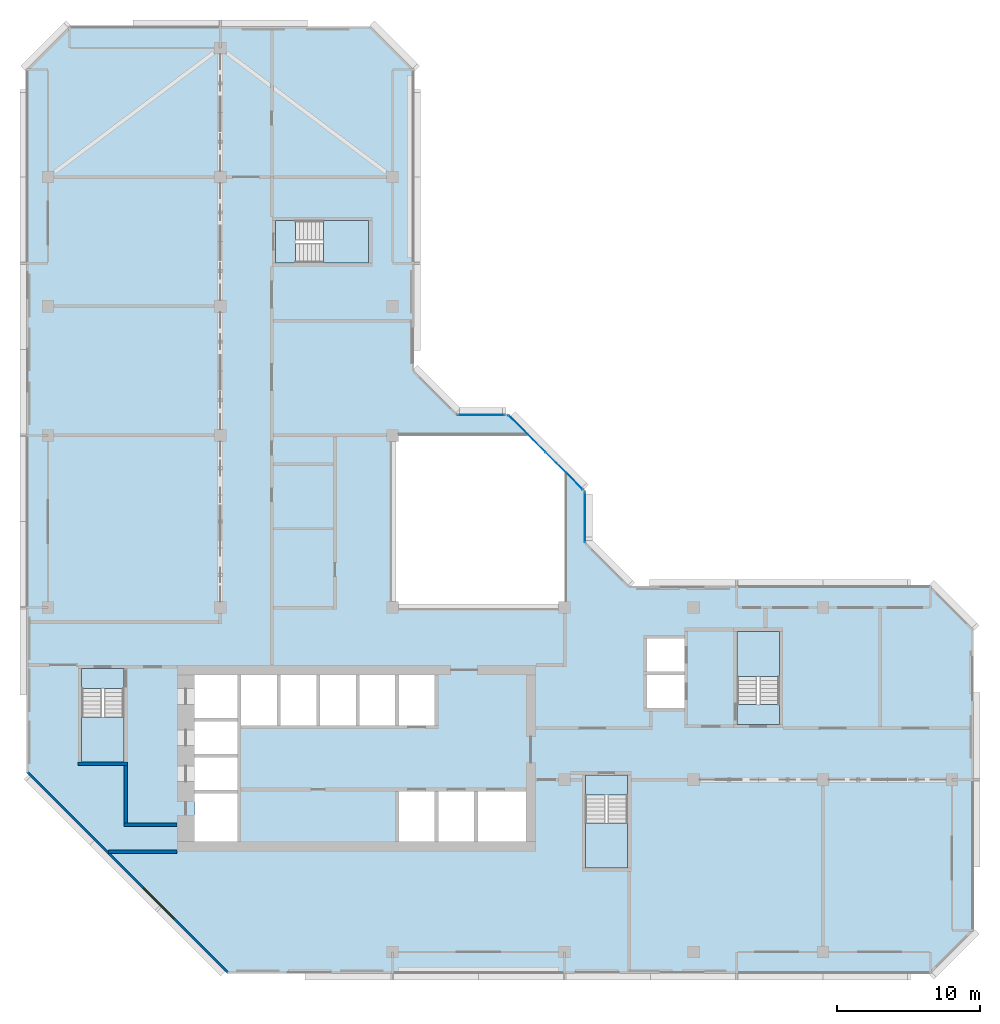
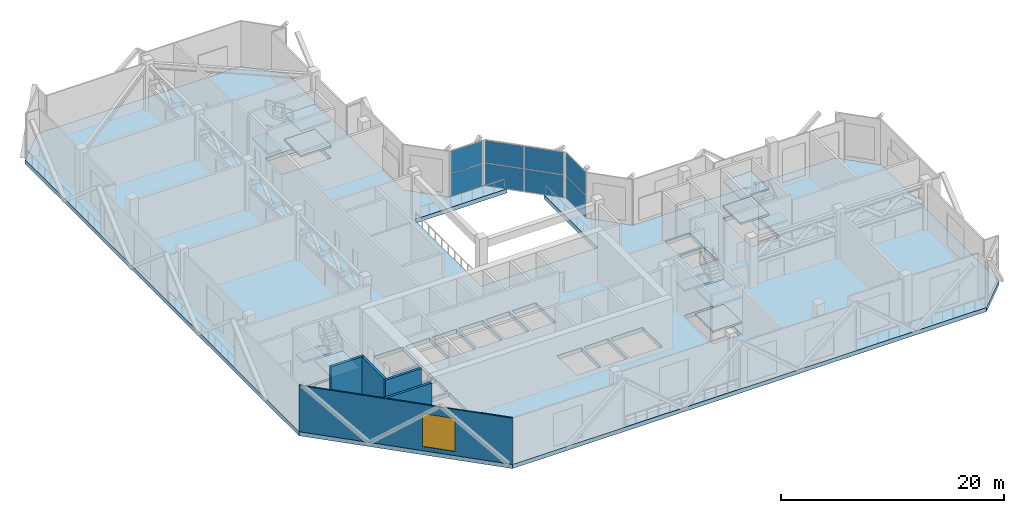
# One storey, part 5 of 14: 13 slabs, 8 plates, 5 walls, 1 window, 1 opening, 7 elements without a shape of their own.
"""IFC4 building model written with IfcOpenShell, lengths in metres."""

from ifc_helpers import new_model, si_unit, direction, frame, frame_2d, origin, origin_2d, place, context, subcontext, project, spatial, polyline, rectangle, outline, extrude, material, layer, layer_set, type_object, element, fill, aggregate, save


model = new_model("IFC4")

# Units and contexts
model_context = context("Model", 3, precision=1e-05, world=origin(), true_north=direction((0.0, 1.0)))
body_context = subcontext(model_context, "Body", "Model", "MODEL_VIEW")
ifc_project = project(units=[si_unit("LENGTHUNIT", "METRE"), si_unit("AREAUNIT", "SQUARE_METRE"), si_unit("VOLUMEUNIT", "CUBIC_METRE"), si_unit("PLANEANGLEUNIT", "RADIAN"), si_unit("MASSUNIT", "GRAM", prefix="KILO")], contexts=[model_context])

# Site, building, storey
site_placement = place(None, origin())
site = spatial("IfcSite", under=ifc_project, at=site_placement, CompositionType="ELEMENT")
building_placement = place(site_placement, origin())
building = spatial("IfcBuilding", under=site, at=building_placement, Name="Chenar Terraces", CompositionType="ELEMENT")
storey_placement = place(building_placement, frame((0.0, 0.0, 256.64990234375)))
storey = spatial("IfcBuildingStorey", under=building, at=storey_placement, Name="L61", CompositionType="ELEMENT", Elevation=256.64990234375)

# Curtain wall, plates
ifc_material_1 = material(Name="Aluminium framed glazing", Category="aluminium")
ifc_layer_1 = layer(ifc_material_1, 0.14990234375)
ifc_layer_set_1 = layer_set([ifc_layer_1], Name="Aluminium framed glazing")
curtain_wall_type = type_object("IfcCurtainWallType", Name="Atrium mid-zone curtain wall", PredefinedType="NOTDEFINED", material=ifc_layer_set_1)
placement_1 = place(storey_placement, origin())
curtain_wall_1 = element("IfcCurtainWall", 1, at=placement_1, inside=storey, type_object=curtain_wall_type, Name="Atrium mid-zone curtain wall", PredefinedType="NOTDEFINED")
ifc_material_2 = material(Name="Low emissivity laminated glass, solar control coating", Category="glass")
ifc_layer_2 = layer(ifc_material_2, 0.031982421875)
ifc_layer_set_2 = layer_set([ifc_layer_2], Name="Low emissivity laminated glass, solar control coating")
plate_type = type_object("IfcPlateType", Name="Atrium mid-zone glazing panel 32", PredefinedType="CURTAIN_PANEL", material=ifc_layer_set_2)
plate_1_placement = place(storey_placement, frame((37.425048828125, 30.300048828125, 0.070068359375), z_axis=(0.0, 0.0, 1.0), x_axis=(0.0, 1.0, 0.0)))
plate_1 = element("IfcPlate", 2, at=plate_1_placement, type_object=plate_type, Name="CW7-1 panel 1.1", PredefinedType="CURTAIN_PANEL", context=body_context, shape_type="SweptSolid", body=[
    extrude(rectangle(XDim=3.4599609375, YDim=0.031982421875, at=origin_2d()), origin(), (0.0, 0.0, 1.0), 2.419921875),
])
plate_2_placement = place(storey_placement, frame((37.425048828125, 30.300048828125, 2.56005859375), z_axis=(0.0, 0.0, 1.0), x_axis=(0.0, 1.0, 0.0)))
plate_2 = element("IfcPlate", 3, at=plate_2_placement, type_object=plate_type, Name="CW7-1 panel 1.2", PredefinedType="CURTAIN_PANEL", context=body_context, shape_type="SweptSolid", body=[
    extrude(rectangle(XDim=3.4599609375, YDim=0.031982421875, at=origin_2d()), origin(), (0.0, 0.0, 1.0), 2.419921875),
])
aggregate(curtain_wall_1, [plate_1, plate_2])

curtain_wall_2 = element("IfcCurtainWall", 4, at=placement_1, inside=storey, type_object=curtain_wall_type, Name="Atrium mid-zone curtain wall", PredefinedType="NOTDEFINED")
plate_3_placement = place(storey_placement, frame((35.978515625, 33.515380859375, 0.070068359375), z_axis=(0.0, 0.0, 1.0), x_axis=(-0.707106781187, 0.707106781187, 0.0)))
plate_3 = element("IfcPlate", 5, at=plate_3_placement, type_object=plate_type, Name="CW7-2 panel 1.1", PredefinedType="CURTAIN_PANEL", context=body_context, shape_type="SweptSolid", body=[
    extrude(rectangle(XDim=3.61328125, YDim=0.031982421875, at=origin_2d()), origin(), (0.0, 0.0, 1.0), 2.419921875),
])
plate_4_placement = place(storey_placement, frame((35.978515625, 33.515380859375, 2.56005859375), z_axis=(0.0, 0.0, 1.0), x_axis=(-0.707106781187, 0.707106781187, 0.0)))
plate_4 = element("IfcPlate", 6, at=plate_4_placement, type_object=plate_type, Name="CW7-2 panel 1.2", PredefinedType="CURTAIN_PANEL", context=body_context, shape_type="SweptSolid", body=[
    extrude(rectangle(XDim=3.61328125, YDim=0.031982421875, at=origin_2d()), origin(), (0.0, 0.0, 1.0), 2.419921875),
])
plate_5_placement = place(storey_placement, frame((33.3740234375, 36.119873046875, 0.070068359375), z_axis=(0.0, 0.0, 1.0), x_axis=(-0.707106781187, 0.707106781187, 0.0)))
plate_5 = element("IfcPlate", 7, at=plate_5_placement, type_object=plate_type, Name="CW7-2 panel 2.1", PredefinedType="CURTAIN_PANEL", context=body_context, shape_type="SweptSolid", body=[
    extrude(rectangle(XDim=3.61328125, YDim=0.031982421875, at=origin_2d()), origin(), (0.0, 0.0, 1.0), 2.419921875),
])
plate_6_placement = place(storey_placement, frame((33.3740234375, 36.119873046875, 2.56005859375), z_axis=(0.0, 0.0, 1.0), x_axis=(-0.707106781187, 0.707106781187, 0.0)))
plate_6 = element("IfcPlate", 8, at=plate_6_placement, type_object=plate_type, Name="CW7-2 panel 2.2", PredefinedType="CURTAIN_PANEL", context=body_context, shape_type="SweptSolid", body=[
    extrude(rectangle(XDim=3.61328125, YDim=0.031982421875, at=origin_2d()), origin(), (0.0, 0.0, 1.0), 2.419921875),
])
aggregate(curtain_wall_2, [plate_3, plate_4, plate_5, plate_6])

curtain_wall_3 = element("IfcCurtainWall", 9, at=placement_1, inside=storey, type_object=curtain_wall_type, Name="Atrium mid-zone curtain wall", PredefinedType="NOTDEFINED")
plate_7_placement = place(storey_placement, frame((30.199951171875, 37.425048828125, 0.070068359375), z_axis=(0.0, 0.0, 1.0), x_axis=(-1.0, 0.0, 0.0)))
plate_7 = element("IfcPlate", 10, at=plate_7_placement, type_object=plate_type, Name="CW7-3 panel 1.1", PredefinedType="CURTAIN_PANEL", context=body_context, shape_type="SweptSolid", body=[
    extrude(rectangle(XDim=3.260009765625, YDim=0.031982421875, at=origin_2d()), origin(), (0.0, 0.0, 1.0), 2.419921875),
])
plate_8_placement = place(storey_placement, frame((30.199951171875, 37.425048828125, 2.56005859375), z_axis=(0.0, 0.0, 1.0), x_axis=(-1.0, 0.0, 0.0)))
plate_8 = element("IfcPlate", 11, at=plate_8_placement, type_object=plate_type, Name="CW7-3 panel 1.2", PredefinedType="CURTAIN_PANEL", context=body_context, shape_type="SweptSolid", body=[
    extrude(rectangle(XDim=3.260009765625, YDim=0.031982421875, at=origin_2d()), origin(), (0.0, 0.0, 1.0), 2.419921875),
])
aggregate(curtain_wall_3, [plate_7, plate_8])

# Stair, slabs
ifc_material_3 = material(Name="Reinforced concrete C40/50", Category="concrete")
stair_type = type_object("IfcStairType", Name="Core stair 1400 half-turn", PredefinedType="HALF_TURN_STAIR", material=ifc_material_3)
stair_1 = element("IfcStair", 12, at=placement_1, inside=storey, type_object=stair_type, Name="L61 Stair 1", PredefinedType="HALF_TURN_STAIR")
ifc_material_4 = material(Name="Reinforced concrete C40/50", Category="concrete")
ifc_layer_3 = layer(ifc_material_4, 0.199951171875)
ifc_layer_set_3 = layer_set([ifc_layer_3], Name="Reinforced concrete C40/50")
slab_type_1 = type_object("IfcSlabType", Name="Core stair landing 200", PredefinedType="LANDING", material=ifc_layer_set_3)
placement_2 = place(storey_placement, frame((0.0, 0.0, 1.175048828125)))
slab_1 = element("IfcSlab", 13, at=placement_2, type_object=slab_type_1, Name="ST1 landing 1", PredefinedType="LANDING", context=body_context, shape_type="SweptSolid", body=[
    extrude(outline(polyline([(2.35009765625, 16.389892578125), (2.35009765625, 13.25), (5.300048828125, 13.25), (5.300048828125, 16.389892578125), (2.35009765625, 16.389892578125)])), origin(), (0.0, 0.0, 1.0), 0.199951171875),
])
placement_3 = place(storey_placement, frame((0.0, 0.0, 2.550048828125)))
slab_2 = element("IfcSlab", 14, at=placement_3, type_object=slab_type_1, Name="ST1 landing 2", PredefinedType="LANDING", context=body_context, shape_type="SweptSolid", body=[
    extrude(outline(polyline([(2.35009765625, 19.75), (2.35009765625, 18.35009765625), (5.300048828125, 18.35009765625), (5.300048828125, 19.75), (2.35009765625, 19.75)])), origin(), (0.0, 0.0, 1.0), 0.199951171875),
])
placement_4 = place(storey_placement, frame((0.0, 0.0, 3.925048828125)))
slab_3 = element("IfcSlab", 15, at=placement_4, type_object=slab_type_1, Name="ST1 landing 3", PredefinedType="LANDING", context=body_context, shape_type="SweptSolid", body=[
    extrude(outline(polyline([(2.35009765625, 16.389892578125), (2.35009765625, 13.25), (5.300048828125, 13.25), (5.300048828125, 16.389892578125), (2.35009765625, 16.389892578125)])), origin(), (0.0, 0.0, 1.0), 0.199951171875),
])
aggregate(stair_1, [slab_1, slab_2, slab_3])

stair_2 = element("IfcStair", 16, at=placement_1, inside=storey, type_object=stair_type, Name="L61 Stair 2", PredefinedType="HALF_TURN_STAIR")
slab_4 = element("IfcSlab", 17, at=placement_2, type_object=slab_type_1, Name="ST2 landing 1", PredefinedType="LANDING", context=body_context, shape_type="SweptSolid", body=[
    extrude(outline(polyline([(37.449951171875, 8.989990234375), (37.449951171875, 5.85009765625), (40.39990234375, 5.85009765625), (40.39990234375, 8.989990234375), (37.449951171875, 8.989990234375)])), origin(), (0.0, 0.0, 1.0), 0.199951171875),
])
slab_5 = element("IfcSlab", 18, at=placement_3, type_object=slab_type_1, Name="ST2 landing 2", PredefinedType="LANDING", context=body_context, shape_type="SweptSolid", body=[
    extrude(outline(polyline([(37.449951171875, 12.35009765625), (37.449951171875, 10.949951171875), (40.39990234375, 10.949951171875), (40.39990234375, 12.35009765625), (37.449951171875, 12.35009765625)])), origin(), (0.0, 0.0, 1.0), 0.199951171875),
])
slab_6 = element("IfcSlab", 19, at=placement_4, type_object=slab_type_1, Name="ST2 landing 3", PredefinedType="LANDING", context=body_context, shape_type="SweptSolid", body=[
    extrude(outline(polyline([(37.449951171875, 8.989990234375), (37.449951171875, 5.85009765625), (40.39990234375, 5.85009765625), (40.39990234375, 8.989990234375), (37.449951171875, 8.989990234375)])), origin(), (0.0, 0.0, 1.0), 0.199951171875),
])
aggregate(stair_2, [slab_4, slab_5, slab_6])

stair_3 = element("IfcStair", 20, at=placement_1, inside=storey, type_object=stair_type, Name="L61 Stair 3", PredefinedType="HALF_TURN_STAIR")
slab_7 = element("IfcSlab", 21, at=placement_2, type_object=slab_type_1, Name="ST3 landing 1", PredefinedType="LANDING", context=body_context, shape_type="SweptSolid", body=[
    extrude(outline(polyline([(50.97509765625, 19.2099609375), (50.97509765625, 22.35009765625), (48.02490234375, 22.35009765625), (48.02490234375, 19.2099609375), (50.97509765625, 19.2099609375)])), origin(), (0.0, 0.0, 1.0), 0.199951171875),
])
slab_8 = element("IfcSlab", 22, at=placement_3, type_object=slab_type_1, Name="ST3 landing 2", PredefinedType="LANDING", context=body_context, shape_type="SweptSolid", body=[
    extrude(outline(polyline([(50.97509765625, 15.85009765625), (50.97509765625, 17.25), (48.02490234375, 17.25), (48.02490234375, 15.85009765625), (50.97509765625, 15.85009765625)])), origin(), (0.0, 0.0, 1.0), 0.199951171875),
])
slab_9 = element("IfcSlab", 23, at=placement_4, type_object=slab_type_1, Name="ST3 landing 3", PredefinedType="LANDING", context=body_context, shape_type="SweptSolid", body=[
    extrude(outline(polyline([(50.97509765625, 19.2099609375), (50.97509765625, 22.35009765625), (48.02490234375, 22.35009765625), (48.02490234375, 19.2099609375), (50.97509765625, 19.2099609375)])), origin(), (0.0, 0.0, 1.0), 0.199951171875),
])
aggregate(stair_3, [slab_7, slab_8, slab_9])

stair_4 = element("IfcStair", 24, at=placement_1, inside=storey, type_object=stair_type, Name="L61 Stair 4", PredefinedType="HALF_TURN_STAIR")
slab_10 = element("IfcSlab", 25, at=placement_2, type_object=slab_type_1, Name="ST4 landing 1", PredefinedType="LANDING", context=body_context, shape_type="SweptSolid", body=[
    extrude(outline(polyline([(19.2099609375, 48.02490234375), (22.35009765625, 48.02490234375), (22.35009765625, 50.97509765625), (19.2099609375, 50.97509765625), (19.2099609375, 48.02490234375)])), origin(), (0.0, 0.0, 1.0), 0.199951171875),
])
slab_11 = element("IfcSlab", 26, at=placement_3, type_object=slab_type_1, Name="ST4 landing 2", PredefinedType="LANDING", context=body_context, shape_type="SweptSolid", body=[
    extrude(outline(polyline([(15.85009765625, 48.02490234375), (17.25, 48.02490234375), (17.25, 50.97509765625), (15.85009765625, 50.97509765625), (15.85009765625, 48.02490234375)])), origin(), (0.0, 0.0, 1.0), 0.199951171875),
])
slab_12 = element("IfcSlab", 27, at=placement_4, type_object=slab_type_1, Name="ST4 landing 3", PredefinedType="LANDING", context=body_context, shape_type="SweptSolid", body=[
    extrude(outline(polyline([(19.2099609375, 48.02490234375), (22.35009765625, 48.02490234375), (22.35009765625, 50.97509765625), (19.2099609375, 50.97509765625), (19.2099609375, 48.02490234375)])), origin(), (0.0, 0.0, 1.0), 0.199951171875),
])
aggregate(stair_4, [slab_10, slab_11, slab_12])

# Slab
ifc_material_5 = material(Name="Concrete C40/50", Category="concrete")
ifc_layer_4 = layer(ifc_material_5, 0.449951171875)
ifc_layer_set_4 = layer_set([ifc_layer_4], Name="Concrete C40/50")
slab_type_2 = type_object("IfcSlabType", Name="Floor slab 450 Concrete C40/50", PredefinedType="FLOOR", material=ifc_layer_set_4)
slab_13_placement = place(storey_placement, frame((0.0, 0.0, -0.449951171875)))
element("IfcSlab", 28, at=slab_13_placement, inside=storey, type_object=slab_type_2, Name="Floor slab L61", PredefinedType="FLOOR", context=body_context, shape_type="SweptSolid", body=[
    extrude(outline(polyline([(64.5, 22.5), (64.5, 1.5), (61.5, -1.5), (12.5, -1.5), (-1.5, 12.5), (-1.5, 61.5), (1.5, 64.5), (22.5, 64.5), (25.5, 61.5), (25.5, 40.5), (28.5, 37.5), (32.10009765625, 37.5), (33.60009765625, 36.0), (24.0, 36.0), (24.0, 24.0), (36.0, 24.0), (36.0, 33.60009765625), (37.5, 32.10009765625), (37.5, 28.5), (40.5, 25.5), (61.5, 25.5), (64.5, 22.5)]), holes=[polyline([(13.199951171875, 11.050048828125), (10.199951171875, 11.050048828125), (10.199951171875, 7.699951171875), (13.199951171875, 7.699951171875), (13.199951171875, 11.050048828125)]), polyline([(13.199951171875, 13.550048828125), (10.199951171875, 13.550048828125), (10.199951171875, 11.300048828125), (13.199951171875, 11.300048828125), (13.199951171875, 13.550048828125)]), polyline([(13.199951171875, 16.050048828125), (10.199951171875, 16.050048828125), (10.199951171875, 13.800048828125), (13.199951171875, 13.800048828125), (13.199951171875, 16.050048828125)]), polyline([(2.35009765625, 13.25), (5.300048828125, 13.25), (5.300048828125, 18.35009765625), (2.35009765625, 18.35009765625), (2.35009765625, 13.25)]), polyline([(15.949951171875, 19.300048828125), (13.449951171875, 19.300048828125), (13.449951171875, 15.800048828125), (15.949951171875, 15.800048828125), (15.949951171875, 19.300048828125)]), polyline([(18.699951171875, 19.300048828125), (16.199951171875, 19.300048828125), (16.199951171875, 15.800048828125), (18.699951171875, 15.800048828125), (18.699951171875, 19.300048828125)]), polyline([(21.449951171875, 19.300048828125), (18.949951171875, 19.300048828125), (18.949951171875, 15.800048828125), (21.449951171875, 15.800048828125), (21.449951171875, 19.300048828125)]), polyline([(24.199951171875, 15.800048828125), (24.199951171875, 19.300048828125), (21.699951171875, 19.300048828125), (21.699951171875, 15.800048828125), (24.199951171875, 15.800048828125)]), polyline([(13.199951171875, 16.300048828125), (13.199951171875, 19.300048828125), (10.199951171875, 19.300048828125), (10.199951171875, 16.300048828125), (13.199951171875, 16.300048828125)]), polyline([(22.35009765625, 48.02490234375), (22.35009765625, 50.97509765625), (17.25, 50.97509765625), (17.25, 48.02490234375), (22.35009765625, 48.02490234375)]), polyline([(37.449951171875, 5.85009765625), (40.39990234375, 5.85009765625), (40.39990234375, 10.949951171875), (37.449951171875, 10.949951171875), (37.449951171875, 5.85009765625)]), polyline([(26.949951171875, 11.199951171875), (24.449951171875, 11.199951171875), (24.449951171875, 7.699951171875), (26.949951171875, 7.699951171875), (26.949951171875, 11.199951171875)]), polyline([(29.699951171875, 7.699951171875), (29.699951171875, 11.199951171875), (27.199951171875, 11.199951171875), (27.199951171875, 7.699951171875), (29.699951171875, 7.699951171875)]), polyline([(33.300048828125, 7.699951171875), (33.300048828125, 11.199951171875), (29.949951171875, 11.199951171875), (29.949951171875, 7.699951171875), (33.300048828125, 7.699951171875)]), polyline([(26.949951171875, 19.300048828125), (24.449951171875, 19.300048828125), (24.449951171875, 15.800048828125), (26.949951171875, 15.800048828125), (26.949951171875, 19.300048828125)]), polyline([(44.35009765625, 19.300048828125), (41.75, 19.300048828125), (41.75, 17.0), (44.35009765625, 17.0), (44.35009765625, 19.300048828125)]), polyline([(50.97509765625, 22.35009765625), (48.02490234375, 22.35009765625), (48.02490234375, 17.25), (50.97509765625, 17.25), (50.97509765625, 22.35009765625)]), polyline([(44.35009765625, 19.550048828125), (44.35009765625, 21.85009765625), (41.75, 21.85009765625), (41.75, 19.550048828125), (44.35009765625, 19.550048828125)])]), origin(), (0.0, 0.0, 1.0), 0.449951171875),
])

# Walls
ifc_material_6 = material(Name="Concrete C60/75", Category="concrete")
ifc_layer_5 = layer(ifc_material_6, 0.25)
ifc_layer_set_5 = layer_set([ifc_layer_5], Name="Concrete C60/75")
wall_type_1 = type_object("IfcWallType", Name="Core wall 250 Concrete C60/75", PredefinedType="SHEAR", material=ifc_layer_set_5)
wall_1_placement = place(storey_placement, frame((2.10009765625, 13.125, 0.0), z_axis=(0.0, 0.0, 1.0), x_axis=(1.0, 0.0, 0.0)))
element("IfcWall", 29, at=wall_1_placement, inside=storey, type_object=wall_type_1, Name="Core wall ST1_S L61", PredefinedType="SHEAR", context=body_context, shape_type="SweptSolid", body=[
    extrude(rectangle(XDim=3.449951171875, YDim=0.25, at=frame_2d((1.72509765625, 0.0))), origin(), (0.0, 0.0, 1.0), 5.5),
])
wall_2_placement = place(storey_placement, frame((5.300048828125, 8.875, 0.0), z_axis=(0.0, 0.0, 1.0), x_axis=(1.0, 0.0, 0.0)))
element("IfcWall", 30, at=wall_2_placement, inside=storey, type_object=wall_type_1, Name="Core wall FFL_S L61", PredefinedType="SHEAR", context=body_context, shape_type="SweptSolid", body=[
    extrude(rectangle(XDim=3.699951171875, YDim=0.25, at=frame_2d((1.85009765625, 0.0))), origin(), (0.0, 0.0, 1.0), 5.5),
])
wall_3_placement = place(storey_placement, frame((5.425048828125, 9.0, 0.0), z_axis=(0.0, 0.0, 1.0), x_axis=(0.0, 1.0, 0.0)))
element("IfcWall", 31, at=wall_3_placement, inside=storey, type_object=wall_type_1, Name="Core wall FFL_W L61", PredefinedType="SHEAR", context=body_context, shape_type="SweptSolid", body=[
    extrude(rectangle(XDim=4.0, YDim=0.25, at=frame_2d((2.0, 0.0))), origin(), (0.0, 0.0, 1.0), 5.5),
])
ifc_material_7 = material(Name="Fire-board and steel stud wall with mineral wool", Category="steel")
ifc_layer_6 = layer(ifc_material_7, 0.25)
ifc_layer_set_6 = layer_set([ifc_layer_6], Name="Fire-board and steel stud wall with mineral wool")
wall_type_2 = type_object("IfcWallType", Name="Refuge compartment wall 250", PredefinedType="PARTITIONING", material=ifc_layer_set_6)
wall_4_placement = place(storey_placement, frame((4.2109375, 7.0, 0.0), z_axis=(0.0, 0.0, 1.0), x_axis=(1.0, 0.0, 0.0)))
element("IfcWall", 32, at=wall_4_placement, inside=storey, type_object=wall_type_2, Name="Partition L61-006", PredefinedType="PARTITIONING", context=body_context, shape_type="SweptSolid", body=[
    extrude(rectangle(XDim=4.7890625, YDim=0.25, at=frame_2d((2.39453125, 0.0))), origin(), (0.0, 0.0, 1.0), 5.050048828125),
])

# Wall, opening, window
ifc_material_8 = material(Name="Terracotta cladding on insulated backing", Category="masonry")
ifc_layer_7 = layer(ifc_material_8, 0.14990234375)
ifc_layer_set_7 = layer_set([ifc_layer_7], Name="Terracotta cladding on insulated backing")
wall_type_3 = type_object("IfcWallType", Name="Terracotta rainscreen wall 150", PredefinedType="SOLIDWALL", material=ifc_layer_set_7)
wall_5_placement = place(storey_placement, frame((-1.447021484375, 12.552978515625, 0.0), z_axis=(0.0, 0.0, 1.0), x_axis=(0.707106781187, -0.707106781187, 0.0)))
wall_5 = element("IfcWall", 33, at=wall_5_placement, inside=storey, type_object=wall_type_3, Name="Terracotta rainscreen wall", PredefinedType="SOLIDWALL", context=body_context, shape_type="SweptSolid", body=[
    extrude(rectangle(XDim=19.799072265625, YDim=0.14990234375, at=frame_2d((9.8994140625, 0.0))), origin(), (0.0, 0.0, 1.0), 5.050048828125),
])
opening_placement = place(wall_5_placement, frame((11.452880859375, 0.0, 0.449951171875)))
opening = element("IfcOpeningElement", 34, at=opening_placement, cuts=wall_5, Name="Opening W300x360", PredefinedType="OPENING", context=body_context, shape_type="SweptSolid", body=[
    extrude(rectangle(XDim=3.0, YDim=3.60009765625, at=frame_2d((1.5, 1.800048828125))), frame((0.0, 0.0849609375, 0.0), z_axis=(0.0, -1.0, 0.0), x_axis=(1.0, 0.0, 0.0)), (0.0, 0.0, 1.0), 0.169921875),
])
ifc_material_9 = material(Name="Low emissivity double glazing, aluminium frame", Category="aluminium")
window_type = type_object("IfcWindowType", Name="Fixed light 3000 x 3600", PartitioningType="SINGLE_PANEL", PredefinedType="WINDOW", material=ifc_material_9)
window_placement = place(opening_placement, origin())
window = element("IfcWindow", 35, at=window_placement, inside=storey, type_object=window_type, Name="Window", OverallHeight=3.60009765625, OverallWidth=3.0, PartitioningType="SINGLE_PANEL", PredefinedType="WINDOW", context=body_context, shape_type="SweptSolid", body=[
    extrude(rectangle(XDim=3.0, YDim=3.60009765625, at=frame_2d((1.5, 1.800048828125))), frame((0.0, 0.030029296875, 0.0), z_axis=(0.0, -1.0, 0.0), x_axis=(1.0, 0.0, 0.0)), (0.0, 0.0, 1.0), 0.06005859375),
])
fill(opening, window)

save(model, "model.ifc")
